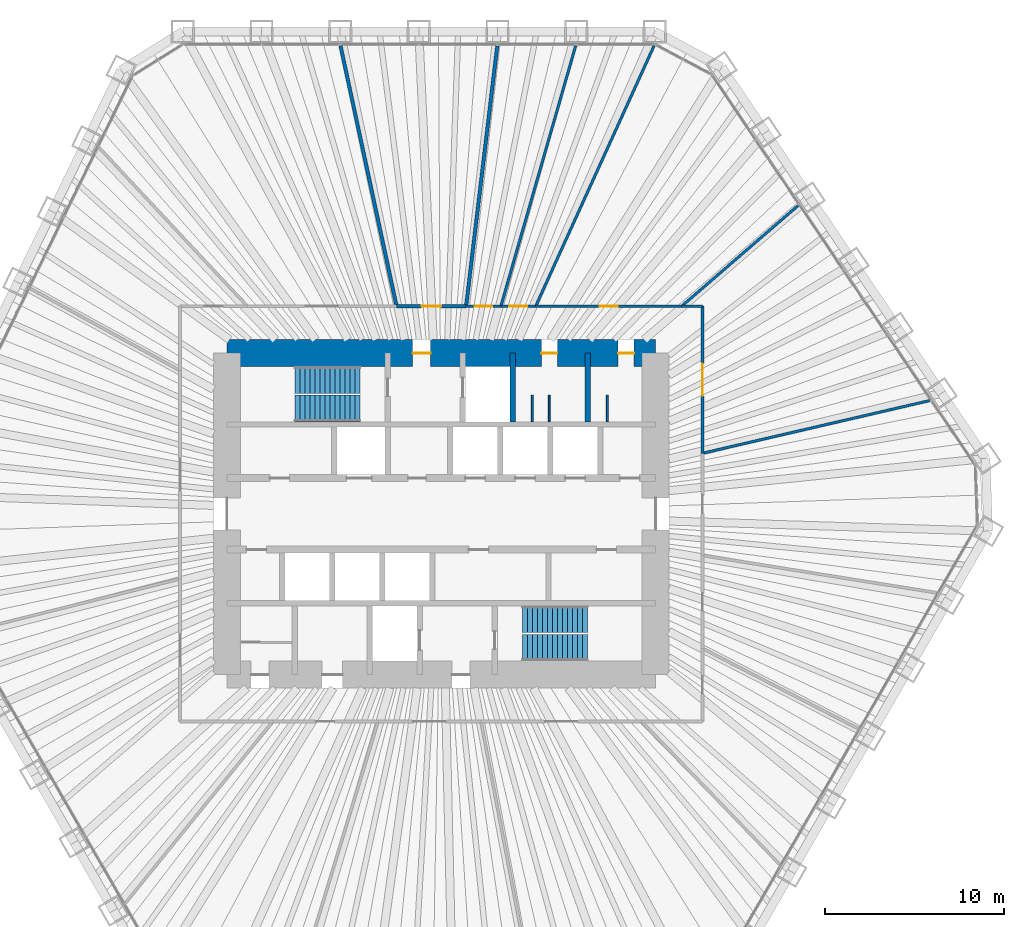
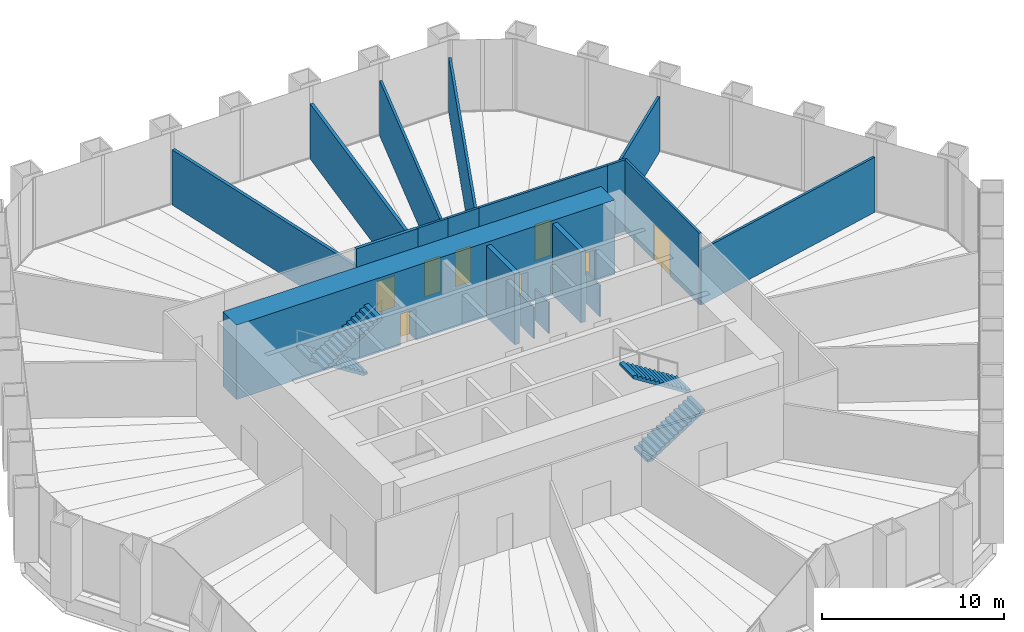
# One storey, part 12 of 13: 18 walls, 8 doors, 4 stair flights, 8 openings, 2 elements without a shape of their own.
"""IFC4 building model written with IfcOpenShell, lengths in metres."""

import ifcopenshell
import ifcopenshell.guid

model = None  # the IFC model being written
_history = None  # IfcOwnerHistory: only IFC2X3 demands one
_inside = {}  # id of a spatial element -> (the spatial element, [elements in it])
_under = {}  # id of a project, library or spatial element -> (it, [spatial elements below it])
_declared = {}  # id of a project -> (the project, [libraries it declares])
_typed = {}  # id of a type object -> (the type object, [elements of that type])
_made_of = {}  # id of a material, layer set ... -> (it, [elements and type objects made of it])


def new_model(schema):
    """Start an empty IFC model of exactly this schema.

    Asked for "IFC4X3", IfcOpenShell would pick the latest addendum, in which some entities
    have other attributes; the version numbers below select the first issue.
    IFC2X3 requires an IfcOwnerHistory on every rooted entity: one is made here for all.
    """
    global model, _history
    if schema == "IFC4X3":
        model = ifcopenshell.file(schema_version=(4, 3, 0, 0))
    else:
        model = ifcopenshell.file(schema=schema)
    _inside.clear()
    _under.clear()
    _declared.clear()
    _typed.clear()
    _made_of.clear()
    _history = None
    if model.schema == "IFC2X3":
        org = make("IfcOrganization", Name="unknown")
        user = make(
            "IfcPersonAndOrganization",
            ThePerson=make("IfcPerson", FamilyName="unknown"),
            TheOrganization=org,
        )
        app = make(
            "IfcApplication",
            ApplicationDeveloper=org,
            Version="unknown",
            ApplicationFullName="unknown",
            ApplicationIdentifier="unknown",
        )
        _history = make(
            "IfcOwnerHistory",
            OwningUser=user,
            OwningApplication=app,
            ChangeAction="ADDED",
            CreationDate=0,
        )
    return model


def make(cls, **values):
    """One entity of the class cls with the attributes given. An attribute that is None is left unset."""
    return model.create_entity(
        cls, **{name: value for name, value in values.items() if value is not None}
    )


def rooted(cls, **values):
    """An entity with a GlobalId (a new one), such as an element, a storey or a relation."""
    return make(cls, GlobalId=ifcopenshell.guid.new(), OwnerHistory=_history, **values)


def si_unit(unit_type, name, prefix=None):
    """IfcSIUnit, for example si_unit("LENGTHUNIT", "METRE", prefix="MILLI")."""
    return make("IfcSIUnit", UnitType=unit_type, Prefix=prefix, Name=name)


def assignment(units):
    """IfcUnitAssignment: the units of a project."""
    return None if units is None else make("IfcUnitAssignment", Units=units)


def point(xyz):
    """IfcCartesianPoint."""
    return None if xyz is None else make("IfcCartesianPoint", Coordinates=xyz)


def direction(xyz):
    """IfcDirection."""
    return None if xyz is None else make("IfcDirection", DirectionRatios=xyz)


def frame(location, z_axis=None, x_axis=None):
    """IfcAxis2Placement3D, a coordinate frame: its origin and axes. An axis left out is left unset."""
    return make(
        "IfcAxis2Placement3D",
        Location=point(location),
        Axis=direction(z_axis),
        RefDirection=direction(x_axis),
    )


def frame_2d(location, x_axis=None):
    """IfcAxis2Placement2D, a coordinate frame in the plane: its origin and x axis."""
    return make(
        "IfcAxis2Placement2D", Location=point(location), RefDirection=direction(x_axis)
    )


def origin():
    """The frame at (0, 0, 0) with its axes left unset."""
    return frame((0.0, 0.0, 0.0))


def place(relative_to, where):
    """IfcLocalPlacement: puts the frame where relative to a parent placement (None: the world)."""
    return make(
        "IfcLocalPlacement", PlacementRelTo=relative_to, RelativePlacement=where
    )


def context(
    kind, dimensions, precision=None, world=None, true_north=None, identifier=None
):
    """IfcGeometricRepresentationContext, for example the 3D "Model" context."""
    return make(
        "IfcGeometricRepresentationContext",
        ContextIdentifier=identifier,
        ContextType=kind,
        CoordinateSpaceDimension=dimensions,
        Precision=precision,
        WorldCoordinateSystem=world,
        TrueNorth=true_north,
    )


def subcontext(parent, identifier, kind, view, scale=None):
    """IfcGeometricRepresentationSubContext, for example "Body" below "Model"."""
    return make(
        "IfcGeometricRepresentationSubContext",
        ContextIdentifier=identifier,
        ContextType=kind,
        ParentContext=parent,
        TargetScale=scale,
        TargetView=view,
    )


def project(units=None, contexts=None):
    """IfcProject with its units and contexts."""
    return rooted(
        "IfcProject",
        Name="project",
        RepresentationContexts=contexts,
        UnitsInContext=assignment(units),
    )


def spatial(cls, under=None, at=None, **own):
    """A site, building, storey or space (cls), placed at a placement, below another one or the project."""
    s = rooted(cls, ObjectPlacement=at, **own)
    if under is not None:
        _under.setdefault(under.id(), (under, []))[1].append(s)
    return s


def polyline(points):
    """IfcPolyline through the points."""
    return make("IfcPolyline", Points=[point(p) for p in points])


def profile(cls, at=None, kind="AREA", **sizes):
    """A parametric profile (cls). Its sizes go by their IFC names, for example OverallWidth=200.0."""
    return make(cls, ProfileType=kind, Position=at, **sizes)


def rectangle(**sizes):
    """IfcRectangleProfileDef."""
    return profile("IfcRectangleProfileDef", **sizes)


def outline(outer, holes=None, kind="AREA"):
    """IfcArbitraryClosedProfileDef: a profile drawn as a closed curve; with holes, ...WithVoids."""
    if holes is None:
        return make("IfcArbitraryClosedProfileDef", ProfileType=kind, OuterCurve=outer)
    return make(
        "IfcArbitraryProfileDefWithVoids",
        ProfileType=kind,
        OuterCurve=outer,
        InnerCurves=holes,
    )


def extrude(swept, where, along, depth):
    """IfcExtrudedAreaSolid: the profile swept, set in the frame where, extruded along a direction by depth."""
    return make(
        "IfcExtrudedAreaSolid",
        SweptArea=swept,
        Position=where,
        ExtrudedDirection=direction(along),
        Depth=depth,
    )


def shape(context_of_items, identifier, shape_type, items):
    """IfcShapeRepresentation: the items that make up one representation, for example the "Body"."""
    return make(
        "IfcShapeRepresentation",
        ContextOfItems=context_of_items,
        RepresentationIdentifier=identifier,
        RepresentationType=shape_type,
        Items=items,
    )


def material(Name=None, Category=None):
    """IfcMaterial."""
    return make("IfcMaterial", Name=Name, Category=Category)


def layer(
    of_material, thickness, ventilated=None, Name=None, Category=None, Priority=None
):
    """IfcMaterialLayer: one layer of a wall or slab, of a material (None: an air gap)."""
    return make(
        "IfcMaterialLayer",
        Material=of_material,
        LayerThickness=thickness,
        IsVentilated=ventilated,
        Name=Name,
        Category=Category,
        Priority=Priority,
    )


def layer_set(layers, Name=None):
    """IfcMaterialLayerSet."""
    return make("IfcMaterialLayerSet", MaterialLayers=layers, LayerSetName=Name)


def made_of(thing, what):
    """Note that an element or type object is made of a material, layer set ...; save() writes the relation."""
    if what is not None:
        _made_of.setdefault(what.id(), (what, []))[1].append(thing)
    return thing


def type_object(cls, material=None, **own):
    """A type object (cls), such as IfcWallType, which elements share."""
    return made_of(rooted(cls, **own), material)


def element(
    cls,
    number,
    at=None,
    inside=None,
    cuts=None,
    type_object=None,
    material=None,
    context=None,
    identifier="Body",
    shape_type=None,
    held_by="IfcProductDefinitionShape",
    body=None,
    shapes=None,
    **own,
):
    """One element of the class cls, such as IfcWall. Its Tag is "e" and its number.

    at: its placement. inside: the storey or other place that contains it. cuts: it is an
    opening in that element (IfcRelVoidsElement). A single representation is given by context,
    identifier, shape_type and body (its items); several are given by shapes. held_by: the class
    of the entity that holds the representations. save() writes the other relations.
    """
    e = rooted(cls, Tag="e%d" % number, ObjectPlacement=at, **own)
    if body is not None:
        shapes = [shape(context, identifier, shape_type, body)]
    if shapes is not None:
        e.Representation = make(held_by, Representations=shapes)
    if inside is not None:
        _inside.setdefault(inside.id(), (inside, []))[1].append(e)
    if cuts is not None:
        rooted(
            "IfcRelVoidsElement", RelatingBuildingElement=cuts, RelatedOpeningElement=e
        )
    if type_object is not None:
        _typed.setdefault(type_object.id(), (type_object, []))[1].append(e)
    return made_of(e, material)


def fill(opening, filler):
    """IfcRelFillsElement: the door or window that sits in an opening."""
    return rooted(
        "IfcRelFillsElement",
        RelatingOpeningElement=opening,
        RelatedBuildingElement=filler,
    )


def aggregate(whole, parts):
    """IfcRelAggregates: a whole, such as a stair, and the parts it consists of."""
    return rooted("IfcRelAggregates", RelatingObject=whole, RelatedObjects=parts)


def save(model, path):
    """Write the relations noted so far, then the file.

    IfcRelAggregates (storeys below a building ...), IfcRelContainedInSpatialStructure (elements
    in a storey), IfcRelDefinesByType, IfcRelAssociatesMaterial and IfcRelDeclares: one each for
    every whole, place, type object, material and project.
    """
    for whole, parts in _under.values():
        aggregate(whole, parts)
    for where, things in _inside.values():
        rooted(
            "IfcRelContainedInSpatialStructure",
            RelatedElements=things,
            RelatingStructure=where,
        )
    for kind, things in _typed.values():
        rooted("IfcRelDefinesByType", RelatedObjects=things, RelatingType=kind)
    for what, things in _made_of.values():
        rooted("IfcRelAssociatesMaterial", RelatedObjects=things, RelatingMaterial=what)
    for by, libraries in _declared.values():
        rooted("IfcRelDeclares", RelatingContext=by, RelatedDefinitions=libraries)
    model.write(path)


model = new_model("IFC4")

# Units and contexts
model_context = context("Model", 3, precision=1e-05, world=origin(), true_north=direction((0.0, 1.0)))
body_context = subcontext(model_context, "Body", "Model", "MODEL_VIEW")
ifc_project = project(units=[si_unit("LENGTHUNIT", "METRE"), si_unit("AREAUNIT", "SQUARE_METRE"), si_unit("VOLUMEUNIT", "CUBIC_METRE"), si_unit("PLANEANGLEUNIT", "RADIAN"), si_unit("MASSUNIT", "GRAM", prefix="KILO")], contexts=[model_context])

# Site, building, storey
site_placement = place(None, origin())
site = spatial("IfcSite", under=ifc_project, at=site_placement, CompositionType="ELEMENT")
building_placement = place(site_placement, origin())
building = spatial("IfcBuilding", under=site, at=building_placement, Name="Qingtian Harvest Tower", CompositionType="ELEMENT")
storey_placement = place(building_placement, frame((0.0, 0.0, 72.0)))
storey = spatial("IfcBuildingStorey", under=building, at=storey_placement, Name="L14", CompositionType="ELEMENT", Elevation=72.0)

# Walls
ifc_material_1 = material(Name="Precast concrete shaft panel", Category="concrete")
ifc_layer_1 = layer(ifc_material_1, 0.300048828125)
ifc_layer_set_1 = layer_set([ifc_layer_1], Name="Core shaft partition SW1 300")
wall_type_1 = type_object("IfcWallType", Name="Core shaft partition SW1 300", PredefinedType="PARTITIONING", material=ifc_layer_set_1)
for number, where, z_axis, x_axis, name in (
    (1, (4.0, 5.14990234375, 0.0), (0.0, 0.0, 1.0), (0.0, 1.0, 0.0), "Core shaft partition XN3 L14"),
    (2, (8.199951171875, 5.14990234375, 0.0), (0.0, 0.0, 1.0), (0.0, 1.0, 0.0), "Core shaft partition XN4 L14"),
):
    element("IfcWall", number, at=place(storey_placement, frame(where, z_axis=z_axis, x_axis=x_axis)), inside=storey, type_object=wall_type_1, Name=name, PredefinedType="PARTITIONING", context=body_context, shape_type="SweptSolid", body=[
        extrude(rectangle(XDim=3.85009765625, YDim=0.300048828125, at=frame_2d((1.925048828125, 0.0))), origin(), (0.0, 0.0, 1.0), 4.780029296875),
    ])

# Wall, openings, doors
ifc_material_2 = material(Name="Concrete fc' 70 MPa", Category="concrete")
ifc_layer_2 = layer(ifc_material_2, 1.5)
ifc_layer_set_2 = layer_set([ifc_layer_2], Name="Core wall RC1 1500")
wall_type_2 = type_object("IfcWallType", Name="Core wall RC1 1500", PredefinedType="SHEAR", material=ifc_layer_set_2)
wall_1_placement = place(storey_placement, frame((-12.0, 9.0, 0.0), z_axis=(0.0, 0.0, 1.0), x_axis=(1.0, 0.0, 0.0)))
wall_1 = element("IfcWall", 3, at=wall_1_placement, inside=storey, type_object=wall_type_2, Name="Core wall CN L14", PredefinedType="SHEAR", context=body_context, shape_type="SweptSolid", body=[
    extrude(rectangle(XDim=24.0, YDim=1.5, at=frame_2d((12.0, 0.0))), origin(), (0.0, 0.0, 1.0), 5.0),
])
opening_1_placement = place(wall_1_placement, frame((10.39990234375, 0.0, 0.0)))
opening_1 = element("IfcOpeningElement", 4, at=opening_1_placement, cuts=wall_1, Name="Opening FD1", PredefinedType="OPENING", context=body_context, shape_type="SweptSolid", body=[
    extrude(rectangle(XDim=1.0, YDim=2.10009765625, at=frame_2d((0.5, 1.050048828125))), frame((0.0, 0.760009765625, 0.0), z_axis=(0.0, -1.0, 0.0), x_axis=(1.0, 0.0, 0.0)), (0.0, 0.0, 1.0), 1.52001953125),
])
opening_2_placement = place(wall_1_placement, frame((17.60009765625, 0.0, 0.0)))
opening_2 = element("IfcOpeningElement", 5, at=opening_2_placement, cuts=wall_1, Name="Opening D1", PredefinedType="OPENING", context=body_context, shape_type="SweptSolid", body=[
    extrude(rectangle(XDim=0.89990234375, YDim=2.10009765625, at=frame_2d((0.449951171875, 1.050048828125))), frame((0.0, 0.760009765625, 0.0), z_axis=(0.0, -1.0, 0.0), x_axis=(1.0, 0.0, 0.0)), (0.0, 0.0, 1.0), 1.52001953125),
])
opening_3_placement = place(wall_1_placement, frame((21.89990234375, 0.0, 0.0)))
opening_3 = element("IfcOpeningElement", 6, at=opening_3_placement, cuts=wall_1, Name="Opening D1", PredefinedType="OPENING", context=body_context, shape_type="SweptSolid", body=[
    extrude(rectangle(XDim=0.89990234375, YDim=2.10009765625, at=frame_2d((0.449951171875, 1.050048828125))), frame((0.0, 0.760009765625, 0.0), z_axis=(0.0, -1.0, 0.0), x_axis=(1.0, 0.0, 0.0)), (0.0, 0.0, 1.0), 1.52001953125),
])
ifc_material_3 = material(Name="Steel-faced door leaf", Category="steel")
door_type_1 = type_object("IfcDoorType", Name="Fire door FD1 single 1 HR", OperationType="SINGLE_SWING_LEFT", PredefinedType="DOOR", material=ifc_material_3)
door_1_placement = place(opening_1_placement, origin())
door_1 = element("IfcDoor", 7, at=door_1_placement, inside=storey, type_object=door_type_1, Name="V1 door L14", OperationType="SINGLE_SWING_LEFT", OverallHeight=2.10009765625, OverallWidth=1.0, PredefinedType="DOOR", context=body_context, shape_type="SweptSolid", body=[
    extrude(rectangle(XDim=1.0, YDim=2.10009765625, at=frame_2d((0.5, 1.050048828125))), frame((0.0, 0.02490234375, 0.0), z_axis=(0.0, -1.0, 0.0), x_axis=(1.0, 0.0, 0.0)), (0.0, 0.0, 1.0), 0.050048828125),
])
fill(opening_1, door_1)
ifc_material_4 = material(Name="Laminated timber door leaf", Category="wood")
door_type_2 = type_object("IfcDoorType", Name="Toilet door D1 single", OperationType="SINGLE_SWING_LEFT", PredefinedType="DOOR", material=ifc_material_4)
door_2_placement = place(opening_2_placement, origin())
door_2 = element("IfcDoor", 8, at=door_2_placement, inside=storey, type_object=door_type_2, Name="WCM door L14", OperationType="SINGLE_SWING_LEFT", OverallHeight=2.10009765625, OverallWidth=0.89990234375, PredefinedType="DOOR", context=body_context, shape_type="SweptSolid", body=[
    extrude(rectangle(XDim=0.89990234375, YDim=2.10009765625, at=frame_2d((0.449951171875, 1.050048828125))), frame((0.0, 0.02490234375, 0.0), z_axis=(0.0, -1.0, 0.0), x_axis=(1.0, 0.0, 0.0)), (0.0, 0.0, 1.0), 0.050048828125),
])
fill(opening_2, door_2)
door_3_placement = place(opening_3_placement, origin())
door_3 = element("IfcDoor", 9, at=door_3_placement, inside=storey, type_object=door_type_2, Name="WCF door L14", OperationType="SINGLE_SWING_LEFT", OverallHeight=2.10009765625, OverallWidth=0.89990234375, PredefinedType="DOOR", context=body_context, shape_type="SweptSolid", body=[
    extrude(rectangle(XDim=0.89990234375, YDim=2.10009765625, at=frame_2d((0.449951171875, 1.050048828125))), frame((0.0, 0.02490234375, 0.0), z_axis=(0.0, -1.0, 0.0), x_axis=(1.0, 0.0, 0.0)), (0.0, 0.0, 1.0), 0.050048828125),
])
fill(opening_3, door_3)

# Wall
ifc_material_5 = material(Name="Blockwork fire wall", Category="masonry")
ifc_layer_3 = layer(ifc_material_5, 0.199951171875)
ifc_layer_set_3 = layer_set([ifc_layer_3], Name="Fire partition FW1 200")
wall_type_3 = type_object("IfcWallType", Name="Fire partition FW1 200", PredefinedType="PARTITIONING", material=ifc_layer_set_3)
wall_2_placement = place(storey_placement, frame((-5.64111328125, 26.2021484375, 0.0), z_axis=(0.0, 0.0, 1.0), x_axis=(0.210474950898, -0.977599250738, 0.0)))
element("IfcWall", 10, at=wall_2_placement, inside=storey, type_object=wall_type_3, Name="Cold room wall L14", PredefinedType="PARTITIONING", context=body_context, shape_type="SweptSolid", body=[
    extrude(rectangle(XDim=14.9111328125, YDim=0.199951171875, at=frame_2d((7.45556640625, 0.0))), origin(), (0.0, 0.0, 1.0), 3.699951171875),
])

# Wall, opening, door
wall_3_placement = place(storey_placement, frame((-2.502685546875, 11.625, 0.0), z_axis=(0.0, 0.0, 1.0), x_axis=(1.0, 0.0, 0.0)))
wall_3 = element("IfcWall", 11, at=wall_3_placement, inside=storey, type_object=wall_type_3, Name="Cold room wall L14", PredefinedType="PARTITIONING", context=body_context, shape_type="SweptSolid", body=[
    extrude(rectangle(XDim=3.893798828125, YDim=0.199951171875, at=frame_2d((1.94677734375, 0.0))), origin(), (0.0, 0.0, 1.0), 4.800048828125),
])
opening_4_placement = place(wall_3_placement, frame((1.39697265625, 0.0, 0.0)))
opening_4 = element("IfcOpeningElement", 12, at=opening_4_placement, cuts=wall_3, Name="Opening FD4", PredefinedType="OPENING", context=body_context, shape_type="SweptSolid", body=[
    extrude(rectangle(XDim=1.10009765625, YDim=2.10009765625, at=frame_2d((0.550048828125, 1.050048828125))), frame((0.0, 0.10986328125, 0.0), z_axis=(0.0, -1.0, 0.0), x_axis=(1.0, 0.0, 0.0)), (0.0, 0.0, 1.0), 0.219970703125),
])
ifc_material_6 = material(Name="Steel-faced door leaf", Category="steel")
door_type_3 = type_object("IfcDoorType", Name="Fire door FD4 single 2 HR", OperationType="SINGLE_SWING_LEFT", PredefinedType="DOOR", material=ifc_material_6)
door_4_placement = place(opening_4_placement, origin())
door_4 = element("IfcDoor", 13, at=door_4_placement, inside=storey, type_object=door_type_3, Name="Cold room door L14", OperationType="SINGLE_SWING_RIGHT", OverallHeight=2.10009765625, OverallWidth=1.10009765625, PredefinedType="DOOR", context=body_context, shape_type="SweptSolid", body=[
    extrude(rectangle(XDim=1.10009765625, YDim=2.10009765625, at=frame_2d((0.550048828125, 1.050048828125))), frame((0.0, 0.02490234375, 0.0), z_axis=(0.0, -1.0, 0.0), x_axis=(1.0, 0.0, 0.0)), (0.0, 0.0, 1.0), 0.050048828125),
])
fill(opening_4, door_4)

# Wall
wall_4_placement = place(storey_placement, frame((3.135009765625, 26.20068359375, 0.0), z_axis=(0.0, 0.0, 1.0), x_axis=(-0.118796980211, -0.992918565388, 0.0)))
element("IfcWall", 14, at=wall_4_placement, inside=storey, type_object=wall_type_3, Name="Nutrient dosing room wall L14", PredefinedType="PARTITIONING", context=body_context, shape_type="SweptSolid", body=[
    extrude(rectangle(XDim=14.6796875, YDim=0.199951171875, at=frame_2d((7.33984375, 0.0))), origin(), (0.0, 0.0, 1.0), 3.699951171875),
])

# Wall, opening, door
ifc_material_7 = material(Name="Gypsum board on steel studs", Category="steel")
ifc_layer_4 = layer(ifc_material_7, 0.14990234375)
ifc_layer_set_4 = layer_set([ifc_layer_4], Name="Partition PT1 150")
wall_type_4 = type_object("IfcWallType", Name="Partition PT1 150", PredefinedType="PARTITIONING", material=ifc_layer_set_4)
wall_5_placement = place(storey_placement, frame((1.39111328125, 11.625, 0.0), z_axis=(0.0, 0.0, 1.0), x_axis=(1.0, 0.0, 0.0)))
wall_5 = element("IfcWall", 15, at=wall_5_placement, inside=storey, type_object=wall_type_4, Name="Nutrient dosing room wall L14", PredefinedType="PARTITIONING", context=body_context, shape_type="SweptSolid", body=[
    extrude(rectangle(XDim=1.94677734375, YDim=0.14990234375, at=frame_2d((0.973388671875, 0.0))), origin(), (0.0, 0.0, 1.0), 4.800048828125),
])
opening_5_placement = place(wall_5_placement, frame((0.473388671875, 0.0, 0.0)))
opening_5 = element("IfcOpeningElement", 16, at=opening_5_placement, cuts=wall_5, Name="Opening D2", PredefinedType="OPENING", context=body_context, shape_type="SweptSolid", body=[
    extrude(rectangle(XDim=1.0, YDim=2.39990234375, at=frame_2d((0.5, 1.199951171875))), frame((0.0, 0.0849609375, 0.0), z_axis=(0.0, -1.0, 0.0), x_axis=(1.0, 0.0, 0.0)), (0.0, 0.0, 1.0), 0.169921875),
])
ifc_material_8 = material(Name="Laminated timber door leaf", Category="wood")
door_type_4 = type_object("IfcDoorType", Name="Room door D2 single", OperationType="SINGLE_SWING_LEFT", PredefinedType="DOOR", material=ifc_material_8)
door_5_placement = place(opening_5_placement, origin())
door_5 = element("IfcDoor", 17, at=door_5_placement, inside=storey, type_object=door_type_4, Name="Nutrient dosing room door L14", OperationType="SINGLE_SWING_RIGHT", OverallHeight=2.39990234375, OverallWidth=1.0, PredefinedType="DOOR", context=body_context, shape_type="SweptSolid", body=[
    extrude(rectangle(XDim=1.0, YDim=2.39990234375, at=frame_2d((0.5, 1.199951171875))), frame((0.0, 0.02490234375, 0.0), z_axis=(0.0, -1.0, 0.0), x_axis=(1.0, 0.0, 0.0)), (0.0, 0.0, 1.0), 0.050048828125),
])
fill(opening_5, door_5)

# Wall
wall_6_placement = place(storey_placement, frame((7.52392578125, 26.203857421875, 0.0), z_axis=(0.0, 0.0, 1.0), x_axis=(-0.275979405656, -0.961163548858, 0.0)))
element("IfcWall", 18, at=wall_6_placement, inside=storey, type_object=wall_type_4, Name="Gowning room wall L14", PredefinedType="PARTITIONING", context=body_context, shape_type="SweptSolid", body=[
    extrude(rectangle(XDim=15.16796875, YDim=0.14990234375, at=frame_2d((7.583984375, 0.0))), origin(), (0.0, 0.0, 1.0), 3.699951171875),
])

# Wall, opening, door
wall_7_placement = place(storey_placement, frame((3.337890625, 11.625, 0.0), z_axis=(0.0, 0.0, 1.0), x_axis=(1.0, 0.0, 0.0)))
wall_7 = element("IfcWall", 19, at=wall_7_placement, inside=storey, type_object=wall_type_4, Name="Gowning room wall L14", PredefinedType="PARTITIONING", context=body_context, shape_type="SweptSolid", body=[
    extrude(rectangle(XDim=1.947021484375, YDim=0.14990234375, at=frame_2d((0.9736328125, 0.0))), origin(), (0.0, 0.0, 1.0), 4.800048828125),
])
opening_6_placement = place(wall_7_placement, frame((0.473388671875, 0.0, 0.0)))
opening_6 = element("IfcOpeningElement", 20, at=opening_6_placement, cuts=wall_7, Name="Opening D2", PredefinedType="OPENING", context=body_context, shape_type="SweptSolid", body=[
    extrude(rectangle(XDim=1.0, YDim=2.39990234375, at=frame_2d((0.5, 1.199951171875))), frame((0.0, 0.0849609375, 0.0), z_axis=(0.0, -1.0, 0.0), x_axis=(1.0, 0.0, 0.0)), (0.0, 0.0, 1.0), 0.169921875),
])
door_6_placement = place(opening_6_placement, origin())
door_6 = element("IfcDoor", 21, at=door_6_placement, inside=storey, type_object=door_type_4, Name="Gowning room door L14", OperationType="SINGLE_SWING_RIGHT", OverallHeight=2.39990234375, OverallWidth=1.0, PredefinedType="DOOR", context=body_context, shape_type="SweptSolid", body=[
    extrude(rectangle(XDim=1.0, YDim=2.39990234375, at=frame_2d((0.5, 1.199951171875))), frame((0.0, 0.02490234375, 0.0), z_axis=(0.0, -1.0, 0.0), x_axis=(1.0, 0.0, 0.0)), (0.0, 0.0, 1.0), 0.050048828125),
])
fill(opening_6, door_6)

# Wall
wall_8_placement = place(storey_placement, frame((11.914794921875, 26.208984375, 0.0), z_axis=(0.0, 0.0, 1.0), x_axis=(-0.41384427845, -0.910347688081, 0.0)))
element("IfcWall", 22, at=wall_8_placement, inside=storey, type_object=wall_type_4, Name="Harvest wash room wall L14", PredefinedType="PARTITIONING", context=body_context, shape_type="SweptSolid", body=[
    extrude(rectangle(XDim=16.020263671875, YDim=0.14990234375, at=frame_2d((8.01025390625, 0.0))), origin(), (0.0, 0.0, 1.0), 3.699951171875),
])

# Wall, opening, door
wall_9_placement = place(storey_placement, frame((5.284912109375, 11.625, 0.0), z_axis=(0.0, 0.0, 1.0), x_axis=(1.0, 0.0, 0.0)))
wall_9 = element("IfcWall", 23, at=wall_9_placement, inside=storey, type_object=wall_type_4, Name="Harvest wash room wall L14", PredefinedType="PARTITIONING", context=body_context, shape_type="SweptSolid", body=[
    extrude(rectangle(XDim=8.171630859375, YDim=0.14990234375, at=frame_2d((4.0859375, 0.0))), origin(), (0.0, 0.0, 1.0), 4.800048828125),
])
opening_7_placement = place(wall_9_placement, frame((3.5859375, 0.0, 0.0)))
opening_7 = element("IfcOpeningElement", 24, at=opening_7_placement, cuts=wall_9, Name="Opening D2", PredefinedType="OPENING", context=body_context, shape_type="SweptSolid", body=[
    extrude(rectangle(XDim=1.0, YDim=2.39990234375, at=frame_2d((0.5, 1.199951171875))), frame((0.0, 0.0849609375, 0.0), z_axis=(0.0, -1.0, 0.0), x_axis=(1.0, 0.0, 0.0)), (0.0, 0.0, 1.0), 0.169921875),
])
door_7_placement = place(opening_7_placement, origin())
door_7 = element("IfcDoor", 25, at=door_7_placement, inside=storey, type_object=door_type_4, Name="Harvest wash room door L14", OperationType="SINGLE_SWING_RIGHT", OverallHeight=2.39990234375, OverallWidth=1.0, PredefinedType="DOOR", context=body_context, shape_type="SweptSolid", body=[
    extrude(rectangle(XDim=1.0, YDim=2.39990234375, at=frame_2d((0.5, 1.199951171875))), frame((0.0, 0.02490234375, 0.0), z_axis=(0.0, -1.0, 0.0), x_axis=(1.0, 0.0, 0.0)), (0.0, 0.0, 1.0), 0.050048828125),
])
fill(opening_7, door_7)

# Walls
wall_10_placement = place(storey_placement, frame((19.96826171875, 17.250244140625, 0.0), z_axis=(0.0, 0.0, 1.0), x_axis=(-0.75673751601, -0.65371884772, 0.0)))
element("IfcWall", 26, at=wall_10_placement, inside=storey, type_object=wall_type_4, Name="Packing room wall L14", PredefinedType="PARTITIONING", context=body_context, shape_type="SweptSolid", body=[
    extrude(rectangle(XDim=8.60498046875, YDim=0.14990234375, at=frame_2d((4.302490234375, 0.0))), origin(), (0.0, 0.0, 1.0), 3.699951171875),
])
wall_11_placement = place(storey_placement, frame((13.45654296875, 11.625, 0.0), z_axis=(0.0, 0.0, 1.0), x_axis=(1.0, 0.0, 0.0)))
element("IfcWall", 27, at=wall_11_placement, inside=storey, type_object=wall_type_4, Name="Packing room wall L14", PredefinedType="PARTITIONING", context=body_context, shape_type="SweptSolid", body=[
    extrude(rectangle(XDim=1.16845703125, YDim=0.14990234375, at=frame_2d((0.584228515625, 0.0))), origin(), (0.0, 0.0, 1.0), 4.800048828125),
])

# Wall, opening, door
wall_12_placement = place(storey_placement, frame((14.625, 11.625, 0.0), z_axis=(0.0, 0.0, 1.0), x_axis=(0.0, -1.0, 0.0)))
wall_12 = element("IfcWall", 28, at=wall_12_placement, inside=storey, type_object=wall_type_4, Name="Packing room wall L14", PredefinedType="PARTITIONING", context=body_context, shape_type="SweptSolid", body=[
    extrude(rectangle(XDim=8.23388671875, YDim=0.14990234375, at=frame_2d((4.116943359375, 0.0))), origin(), (0.0, 0.0, 1.0), 4.800048828125),
])
opening_8_placement = place(wall_12_placement, frame((3.217041015625, 0.0, 0.0)))
opening_8 = element("IfcOpeningElement", 29, at=opening_8_placement, cuts=wall_12, Name="Opening D3", PredefinedType="OPENING", context=body_context, shape_type="SweptSolid", body=[
    extrude(rectangle(XDim=1.800048828125, YDim=2.39990234375, at=frame_2d((0.89990234375, 1.199951171875))), frame((0.0, 0.0849609375, 0.0), z_axis=(0.0, -1.0, 0.0), x_axis=(1.0, 0.0, 0.0)), (0.0, 0.0, 1.0), 0.169921875),
])
ifc_material_9 = material(Name="Laminated timber door leaf", Category="wood")
door_type_5 = type_object("IfcDoorType", Name="Room door D3 double", OperationType="DOUBLE_DOOR_DOUBLE_SWING", PredefinedType="DOOR", material=ifc_material_9)
door_8_placement = place(opening_8_placement, origin())
door_8 = element("IfcDoor", 30, at=door_8_placement, inside=storey, type_object=door_type_5, Name="Packing room door L14", OperationType="DOUBLE_DOOR_DOUBLE_SWING", OverallHeight=2.39990234375, OverallWidth=1.800048828125, PredefinedType="DOOR", context=body_context, shape_type="SweptSolid", body=[
    extrude(rectangle(XDim=1.800048828125, YDim=2.39990234375, at=frame_2d((0.89990234375, 1.199951171875))), frame((0.0, 0.02490234375, 0.0), z_axis=(0.0, -1.0, 0.0), x_axis=(1.0, 0.0, 0.0)), (0.0, 0.0, 1.0), 0.050048828125),
])
fill(opening_8, door_8)

# Walls
wall_13_placement = place(storey_placement, frame((27.335693359375, 6.33837890625, 0.0), z_axis=(0.0, 0.0, 1.0), x_axis=(-0.974155090553, -0.225880188486, 0.0)))
element("IfcWall", 31, at=wall_13_placement, inside=storey, type_object=wall_type_4, Name="Seedling nursery wall L14", PredefinedType="PARTITIONING", context=body_context, shape_type="SweptSolid", body=[
    extrude(rectangle(XDim=13.0478515625, YDim=0.14990234375, at=frame_2d((6.52392578125, 0.0))), origin(), (0.0, 0.0, 1.0), 3.699951171875),
])
ifc_material_10 = material(Name="Compact laminate cubicle partition", Category="plastic")
ifc_layer_5 = layer(ifc_material_10, 0.10009765625)
ifc_layer_set_5 = layer_set([ifc_layer_5], Name="WC cubicle partition WP1 100")
wall_type_5 = type_object("IfcWallType", Name="WC cubicle partition WP1 100", PredefinedType="PARTITIONING", material=ifc_layer_set_5)
for number, where, z_axis, x_axis, name in (
    (32, (5.10009765625, 5.14990234375, 0.0), (0.0, 0.0, 1.0), (0.0, 1.0, 0.0), "WC cubicle partition WCM L14"),
    (33, (6.050048828125, 5.14990234375, 0.0), (0.0, 0.0, 1.0), (0.0, 1.0, 0.0), "WC cubicle partition WCM L14"),
    (34, (9.300048828125, 5.14990234375, 0.0), (0.0, 0.0, 1.0), (0.0, 1.0, 0.0), "WC cubicle partition WCF L14"),
):
    element("IfcWall", number, at=place(storey_placement, frame(where, z_axis=z_axis, x_axis=x_axis)), inside=storey, type_object=wall_type_5, Name=name, PredefinedType="PARTITIONING", context=body_context, shape_type="SweptSolid", body=[
        extrude(rectangle(XDim=1.5, YDim=0.10009765625, at=frame_2d((0.75, 0.0))), origin(), (0.0, 0.0, 1.0), 2.10009765625),
    ])

# Stair, stair flights
ifc_material_11 = material(Name="Concrete fc' 35 MPa", Category="concrete")
stair_type = type_object("IfcStairType", Name="Special stair ST2 5000", PredefinedType="HALF_TURN_STAIR", material=ifc_material_11)
stair_1_placement = place(storey_placement, origin())
stair_1 = element("IfcStair", 35, at=stair_1_placement, inside=storey, type_object=stair_type, Name="Special stair S1 L14", PredefinedType="HALF_TURN_STAIR")
ifc_material_12 = material(Name="Concrete fc' 35 MPa", Category="concrete")
stair_flight_type = type_object("IfcStairFlightType", Name="Stair flight SF2 5000", PredefinedType="STRAIGHT", material=ifc_material_12)
stair_flight_1_placement = place(storey_placement, frame((-4.550048828125, 7.5, 0.0), z_axis=(0.0, 0.0, 1.0), x_axis=(-1.0, 0.0, 0.0)))
stair_flight_1 = element("IfcStairFlight", 36, at=stair_flight_1_placement, type_object=stair_flight_type, Name="S1 flight 1", NumberOfRisers=14, NumberOfTreads=13, PredefinedType="STRAIGHT", RiserHeight=0.178571429, TreadLength=0.28, context=body_context, shape_type="SweptSolid", body=[
    extrude(outline(polyline([(0.0, 0.0), (0.0, 0.178466796875), (0.280029296875, 0.178466796875), (0.280029296875, 0.357177734375), (0.56005859375, 0.357177734375), (0.56005859375, 0.53564453125), (0.840087890625, 0.53564453125), (0.840087890625, 0.71435546875), (1.1201171875, 0.71435546875), (1.1201171875, 0.892822265625), (1.39990234375, 0.892822265625), (1.39990234375, 1.071533203125), (1.679931640625, 1.071533203125), (1.679931640625, 1.25), (1.9599609375, 1.25), (1.9599609375, 1.428466796875), (2.239990234375, 1.428466796875), (2.239990234375, 1.607177734375), (2.52001953125, 1.607177734375), (2.52001953125, 1.78564453125), (2.800048828125, 1.78564453125), (2.800048828125, 1.96435546875), (3.080078125, 1.96435546875), (3.080078125, 2.142822265625), (3.360107421875, 2.142822265625), (3.360107421875, 2.321533203125), (3.639892578125, 2.321533203125), (3.639892578125, 2.5), (3.639892578125, 2.1435546875), (0.27880859375, 0.0), (0.0, 0.0)])), frame((0.0, 0.75, 0.0), z_axis=(0.0, -1.0, 0.0), x_axis=(1.0, 0.0, 0.0)), (0.0, 0.0, 1.0), 1.5),
])
stair_flight_2_placement = place(storey_placement, frame((-8.18994140625, 5.89990234375, 2.5), z_axis=(0.0, 0.0, 1.0), x_axis=(1.0, 0.0, 0.0)))
stair_flight_2 = element("IfcStairFlight", 37, at=stair_flight_2_placement, type_object=stair_flight_type, Name="S1 flight 2", NumberOfRisers=14, NumberOfTreads=13, PredefinedType="STRAIGHT", RiserHeight=0.178571429, TreadLength=0.28, context=body_context, shape_type="SweptSolid", body=[
    extrude(outline(polyline([(0.0, 0.0), (0.0, 0.178466796875), (0.280029296875, 0.178466796875), (0.280029296875, 0.357177734375), (0.56005859375, 0.357177734375), (0.56005859375, 0.53564453125), (0.840087890625, 0.53564453125), (0.840087890625, 0.71435546875), (1.1201171875, 0.71435546875), (1.1201171875, 0.892822265625), (1.39990234375, 0.892822265625), (1.39990234375, 1.071533203125), (1.679931640625, 1.071533203125), (1.679931640625, 1.25), (1.9599609375, 1.25), (1.9599609375, 1.428466796875), (2.239990234375, 1.428466796875), (2.239990234375, 1.607177734375), (2.52001953125, 1.607177734375), (2.52001953125, 1.78564453125), (2.800048828125, 1.78564453125), (2.800048828125, 1.96435546875), (3.080078125, 1.96435546875), (3.080078125, 2.142822265625), (3.360107421875, 2.142822265625), (3.360107421875, 2.321533203125), (3.639892578125, 2.321533203125), (3.639892578125, 2.5), (3.639892578125, 2.1435546875), (0.27880859375, 0.0), (0.0, 0.0)])), frame((0.0, 0.75, 0.0), z_axis=(0.0, -1.0, 0.0), x_axis=(1.0, 0.0, 0.0)), (0.0, 0.0, 1.0), 1.5),
])
aggregate(stair_1, [stair_flight_1, stair_flight_2])

stair_2_placement = place(storey_placement, origin())
stair_2 = element("IfcStair", 38, at=stair_2_placement, inside=storey, type_object=stair_type, Name="Special stair S2 L14", PredefinedType="HALF_TURN_STAIR")
stair_flight_3_placement = place(storey_placement, frame((4.550048828125, -7.5, 0.0), z_axis=(0.0, 0.0, 1.0), x_axis=(1.0, 0.0, 0.0)))
stair_flight_3 = element("IfcStairFlight", 39, at=stair_flight_3_placement, type_object=stair_flight_type, Name="S2 flight 1", NumberOfRisers=14, NumberOfTreads=13, PredefinedType="STRAIGHT", RiserHeight=0.178571429, TreadLength=0.28, context=body_context, shape_type="SweptSolid", body=[
    extrude(outline(polyline([(0.0, 0.0), (0.0, 0.178466796875), (0.280029296875, 0.178466796875), (0.280029296875, 0.357177734375), (0.56005859375, 0.357177734375), (0.56005859375, 0.53564453125), (0.840087890625, 0.53564453125), (0.840087890625, 0.71435546875), (1.1201171875, 0.71435546875), (1.1201171875, 0.892822265625), (1.39990234375, 0.892822265625), (1.39990234375, 1.071533203125), (1.679931640625, 1.071533203125), (1.679931640625, 1.25), (1.9599609375, 1.25), (1.9599609375, 1.428466796875), (2.239990234375, 1.428466796875), (2.239990234375, 1.607177734375), (2.52001953125, 1.607177734375), (2.52001953125, 1.78564453125), (2.800048828125, 1.78564453125), (2.800048828125, 1.96435546875), (3.080078125, 1.96435546875), (3.080078125, 2.142822265625), (3.360107421875, 2.142822265625), (3.360107421875, 2.321533203125), (3.639892578125, 2.321533203125), (3.639892578125, 2.5), (3.639892578125, 2.1435546875), (0.27880859375, 0.0), (0.0, 0.0)])), frame((0.0, 0.75, 0.0), z_axis=(0.0, -1.0, 0.0), x_axis=(1.0, 0.0, 0.0)), (0.0, 0.0, 1.0), 1.5),
])
stair_flight_4_placement = place(storey_placement, frame((8.18994140625, -5.89990234375, 2.5), z_axis=(0.0, 0.0, 1.0), x_axis=(-1.0, 0.0, 0.0)))
stair_flight_4 = element("IfcStairFlight", 40, at=stair_flight_4_placement, type_object=stair_flight_type, Name="S2 flight 2", NumberOfRisers=14, NumberOfTreads=13, PredefinedType="STRAIGHT", RiserHeight=0.178571429, TreadLength=0.28, context=body_context, shape_type="SweptSolid", body=[
    extrude(outline(polyline([(0.0, 0.0), (0.0, 0.178466796875), (0.280029296875, 0.178466796875), (0.280029296875, 0.357177734375), (0.56005859375, 0.357177734375), (0.56005859375, 0.53564453125), (0.840087890625, 0.53564453125), (0.840087890625, 0.71435546875), (1.1201171875, 0.71435546875), (1.1201171875, 0.892822265625), (1.39990234375, 0.892822265625), (1.39990234375, 1.071533203125), (1.679931640625, 1.071533203125), (1.679931640625, 1.25), (1.9599609375, 1.25), (1.9599609375, 1.428466796875), (2.239990234375, 1.428466796875), (2.239990234375, 1.607177734375), (2.52001953125, 1.607177734375), (2.52001953125, 1.78564453125), (2.800048828125, 1.78564453125), (2.800048828125, 1.96435546875), (3.080078125, 1.96435546875), (3.080078125, 2.142822265625), (3.360107421875, 2.142822265625), (3.360107421875, 2.321533203125), (3.639892578125, 2.321533203125), (3.639892578125, 2.5), (3.639892578125, 2.1435546875), (0.27880859375, 0.0), (0.0, 0.0)])), frame((0.0, 0.75, 0.0), z_axis=(0.0, -1.0, 0.0), x_axis=(1.0, 0.0, 0.0)), (0.0, 0.0, 1.0), 1.5),
])
aggregate(stair_2, [stair_flight_3, stair_flight_4])

save(model, "model.ifc")
